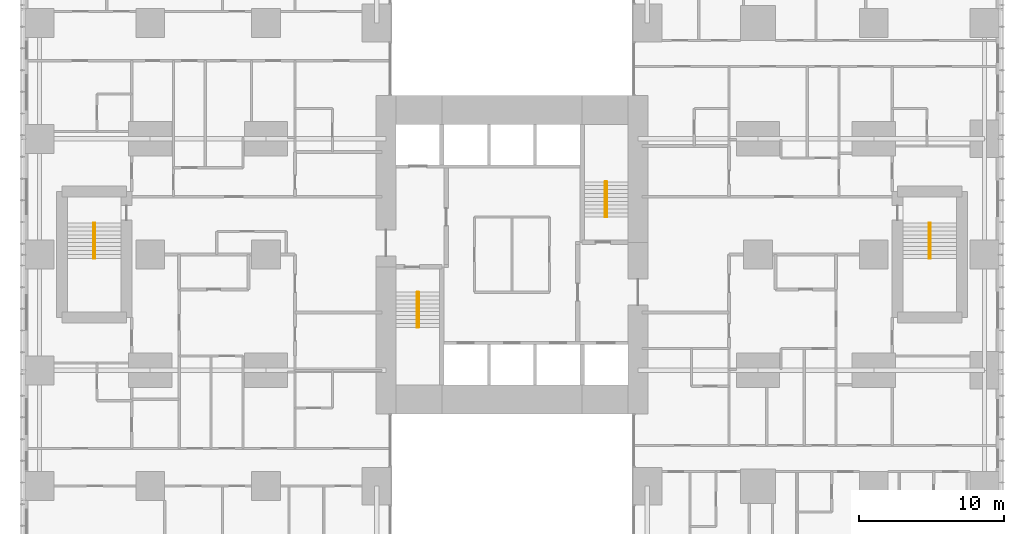
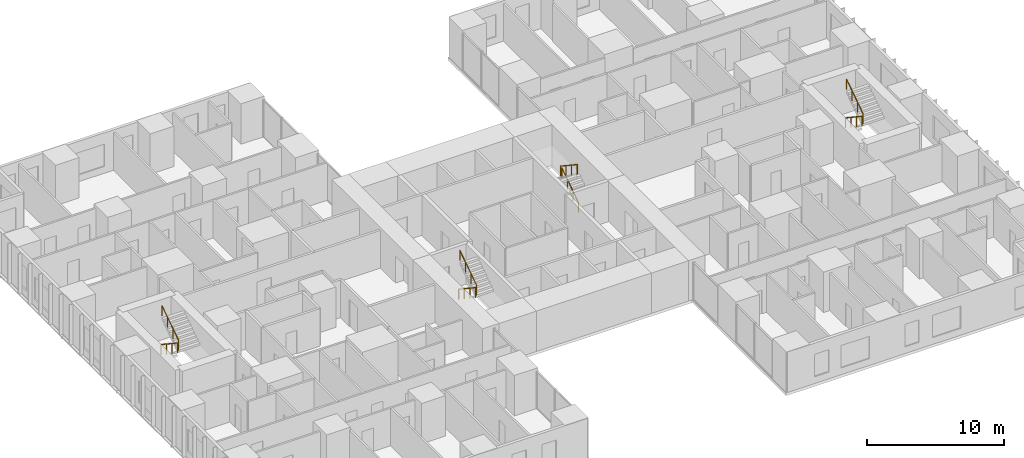
# One storey, part 20 of 20: 8 railings.
"""IFC4 building model written with IfcOpenShell, lengths in metres."""

from ifc_helpers import new_model, si_unit, direction, frame, origin, origin_2d, place, context, subcontext, project, spatial, circle, extrude, material, type_object, element, save


model = new_model("IFC4")

# Units and contexts
model_context = context("Model", 3, precision=1e-05, world=origin(), true_north=direction((0.0, 1.0)))
body_context = subcontext(model_context, "Body", "Model", "MODEL_VIEW")
ifc_project = project(units=[si_unit("LENGTHUNIT", "METRE"), si_unit("AREAUNIT", "SQUARE_METRE"), si_unit("VOLUMEUNIT", "CUBIC_METRE"), si_unit("PLANEANGLEUNIT", "RADIAN"), si_unit("MASSUNIT", "GRAM", prefix="KILO")], contexts=[model_context])

# Site, building, storey
site_placement = place(None, origin())
site = spatial("IfcSite", under=ifc_project, at=site_placement, CompositionType="ELEMENT")
building_placement = place(site_placement, origin())
building = spatial("IfcBuilding", under=site, at=building_placement, Name="Cleftline Residences", CompositionType="ELEMENT")
storey_placement = place(building_placement, frame((0.0, 0.0, 54.800048828125)))
storey = spatial("IfcBuildingStorey", under=building, at=storey_placement, Name="L13", CompositionType="ELEMENT", Elevation=54.800048828125)

# Railings
ifc_material = material(Name="Stainless steel", Category="steel")
railing_type = type_object("IfcRailingType", Name="HANDRAIL 900", PredefinedType="HANDRAIL", material=ifc_material)
railing_1_placement = place(storey_placement, frame((26.449951171875, 21.39990234375, 0.179931640625)))
element("IfcRailing", 1, at=railing_1_placement, inside=storey, type_object=railing_type, Name="Stair handrail", PredefinedType="HANDRAIL", context=body_context, shape_type="SweptSolid", body=[
    extrude(circle(Radius=0.02392578125, at=origin_2d()), frame((0.0, 0.0, 0.8759765625), z_axis=(0.0, -0.832024571796, 0.554738778101), x_axis=(1.0, 0.0, 0.0)), (0.0, 0.0, 1.0), 2.92041015625),
    extrude(circle(Radius=0.02099609375, at=origin_2d()), origin(), (0.0, 0.0, 1.0), 0.851806640625),
    extrude(circle(Radius=0.02099609375, at=origin_2d()), frame((0.0, -0.81005859375, 0.5400390625)), (0.0, 0.0, 1.0), 0.851806640625),
    extrude(circle(Radius=0.02099609375, at=origin_2d()), frame((0.0, -1.619873046875, 1.080078125)), (0.0, 0.0, 1.0), 0.851806640625),
    extrude(circle(Radius=0.02099609375, at=origin_2d()), frame((0.0, -2.429931640625, 1.6201171875)), (0.0, 0.0, 1.0), 0.851806640625),
])
railing_2_placement = place(storey_placement, frame((26.550048828125, 18.969970703125, 1.97998046875)))
element("IfcRailing", 2, at=railing_2_placement, inside=storey, type_object=railing_type, Name="Stair handrail", PredefinedType="HANDRAIL", context=body_context, shape_type="SweptSolid", body=[
    extrude(circle(Radius=0.02392578125, at=origin_2d()), frame((0.0, 0.0, 0.8759765625), z_axis=(0.0, 0.832063155534, 0.554680903946), x_axis=(-1.0, 0.0, 0.0)), (0.0, 0.0, 1.0), 2.92041015625),
    extrude(circle(Radius=0.02099609375, at=origin_2d()), origin(), (0.0, 0.0, 1.0), 0.851806640625),
    extrude(circle(Radius=0.02099609375, at=origin_2d()), frame((0.0, 0.81005859375, 0.5400390625)), (0.0, 0.0, 1.0), 0.851806640625),
    extrude(circle(Radius=0.02099609375, at=origin_2d()), frame((0.0, 1.619873046875, 1.079833984375)), (0.0, 0.0, 1.0), 0.851806640625),
    extrude(circle(Radius=0.02099609375, at=origin_2d()), frame((0.0, 2.429931640625, 1.619873046875)), (0.0, 0.0, 1.0), 0.851806640625),
])
railing_3_placement = place(storey_placement, frame((39.550048828125, 26.60009765625, 0.179931640625)))
element("IfcRailing", 3, at=railing_3_placement, inside=storey, type_object=railing_type, Name="Stair handrail", PredefinedType="HANDRAIL", context=body_context, shape_type="SweptSolid", body=[
    extrude(circle(Radius=0.02392578125, at=origin_2d()), frame((0.0, 0.0, 0.8759765625), z_axis=(0.0, 0.832024571796, 0.554738778101), x_axis=(-1.0, 0.0, 0.0)), (0.0, 0.0, 1.0), 2.92041015625),
    extrude(circle(Radius=0.02099609375, at=origin_2d()), origin(), (0.0, 0.0, 1.0), 0.851806640625),
    extrude(circle(Radius=0.02099609375, at=origin_2d()), frame((0.0, 0.81005859375, 0.5400390625)), (0.0, 0.0, 1.0), 0.851806640625),
    extrude(circle(Radius=0.02099609375, at=origin_2d()), frame((0.0, 1.619873046875, 1.080078125)), (0.0, 0.0, 1.0), 0.851806640625),
    extrude(circle(Radius=0.02099609375, at=origin_2d()), frame((0.0, 2.429931640625, 1.6201171875)), (0.0, 0.0, 1.0), 0.851806640625),
])
railing_4_placement = place(storey_placement, frame((39.449951171875, 29.030029296875, 1.97998046875)))
element("IfcRailing", 4, at=railing_4_placement, inside=storey, type_object=railing_type, Name="Stair handrail", PredefinedType="HANDRAIL", context=body_context, shape_type="SweptSolid", body=[
    extrude(circle(Radius=0.02392578125, at=origin_2d()), frame((0.0, 0.0, 0.8759765625), z_axis=(0.0, -0.832063155534, 0.554680903946), x_axis=(1.0, 0.0, 0.0)), (0.0, 0.0, 1.0), 2.92041015625),
    extrude(circle(Radius=0.02099609375, at=origin_2d()), origin(), (0.0, 0.0, 1.0), 0.851806640625),
    extrude(circle(Radius=0.02099609375, at=origin_2d()), frame((0.0, -0.81005859375, 0.5400390625)), (0.0, 0.0, 1.0), 0.851806640625),
    extrude(circle(Radius=0.02099609375, at=origin_2d()), frame((0.0, -1.619873046875, 1.079833984375)), (0.0, 0.0, 1.0), 0.851806640625),
    extrude(circle(Radius=0.02099609375, at=origin_2d()), frame((0.0, -2.429931640625, 1.619873046875)), (0.0, 0.0, 1.0), 0.851806640625),
])
railing_5_placement = place(storey_placement, frame((61.824951171875, 26.175048828125, 0.179931640625)))
element("IfcRailing", 5, at=railing_5_placement, inside=storey, type_object=railing_type, Name="Stair handrail", PredefinedType="HANDRAIL", context=body_context, shape_type="SweptSolid", body=[
    extrude(circle(Radius=0.02392578125, at=origin_2d()), frame((0.0, 0.0, 0.8759765625), z_axis=(0.0, -0.832024571796, 0.554738778101), x_axis=(1.0, 0.0, 0.0)), (0.0, 0.0, 1.0), 2.92041015625),
    extrude(circle(Radius=0.02099609375, at=origin_2d()), origin(), (0.0, 0.0, 1.0), 0.851806640625),
    extrude(circle(Radius=0.02099609375, at=origin_2d()), frame((0.0, -0.81005859375, 0.5400390625)), (0.0, 0.0, 1.0), 0.851806640625),
    extrude(circle(Radius=0.02099609375, at=origin_2d()), frame((0.0, -1.619873046875, 1.080078125)), (0.0, 0.0, 1.0), 0.851806640625),
    extrude(circle(Radius=0.02099609375, at=origin_2d()), frame((0.0, -2.429931640625, 1.6201171875)), (0.0, 0.0, 1.0), 0.851806640625),
])
railing_6_placement = place(storey_placement, frame((61.925048828125, 23.7451171875, 1.97998046875)))
element("IfcRailing", 6, at=railing_6_placement, inside=storey, type_object=railing_type, Name="Stair handrail", PredefinedType="HANDRAIL", context=body_context, shape_type="SweptSolid", body=[
    extrude(circle(Radius=0.02392578125, at=origin_2d()), frame((0.0, 0.0, 0.8759765625), z_axis=(0.0, 0.832063155534, 0.554680903946), x_axis=(-1.0, 0.0, 0.0)), (0.0, 0.0, 1.0), 2.92041015625),
    extrude(circle(Radius=0.02099609375, at=origin_2d()), origin(), (0.0, 0.0, 1.0), 0.851806640625),
    extrude(circle(Radius=0.02099609375, at=origin_2d()), frame((0.0, 0.81005859375, 0.5400390625)), (0.0, 0.0, 1.0), 0.851806640625),
    extrude(circle(Radius=0.02099609375, at=origin_2d()), frame((0.0, 1.619873046875, 1.079833984375)), (0.0, 0.0, 1.0), 0.851806640625),
    extrude(circle(Radius=0.02099609375, at=origin_2d()), frame((0.0, 2.429931640625, 1.619873046875)), (0.0, 0.0, 1.0), 0.851806640625),
])
railing_7_placement = place(storey_placement, frame((4.074951171875, 26.175048828125, 0.179931640625)))
element("IfcRailing", 7, at=railing_7_placement, inside=storey, type_object=railing_type, Name="Stair handrail", PredefinedType="HANDRAIL", context=body_context, shape_type="SweptSolid", body=[
    extrude(circle(Radius=0.02392578125, at=origin_2d()), frame((0.0, 0.0, 0.8759765625), z_axis=(0.0, -0.832024571796, 0.554738778101), x_axis=(1.0, 0.0, 0.0)), (0.0, 0.0, 1.0), 2.92041015625),
    extrude(circle(Radius=0.02099609375, at=origin_2d()), origin(), (0.0, 0.0, 1.0), 0.851806640625),
    extrude(circle(Radius=0.02099609375, at=origin_2d()), frame((0.0, -0.81005859375, 0.5400390625)), (0.0, 0.0, 1.0), 0.851806640625),
    extrude(circle(Radius=0.02099609375, at=origin_2d()), frame((0.0, -1.619873046875, 1.080078125)), (0.0, 0.0, 1.0), 0.851806640625),
    extrude(circle(Radius=0.02099609375, at=origin_2d()), frame((0.0, -2.429931640625, 1.6201171875)), (0.0, 0.0, 1.0), 0.851806640625),
])
railing_8_placement = place(storey_placement, frame((4.175048828125, 23.7451171875, 1.97998046875)))
element("IfcRailing", 8, at=railing_8_placement, inside=storey, type_object=railing_type, Name="Stair handrail", PredefinedType="HANDRAIL", context=body_context, shape_type="SweptSolid", body=[
    extrude(circle(Radius=0.02392578125, at=origin_2d()), frame((0.0, 0.0, 0.8759765625), z_axis=(0.0, 0.832063155534, 0.554680903946), x_axis=(-1.0, 0.0, 0.0)), (0.0, 0.0, 1.0), 2.92041015625),
    extrude(circle(Radius=0.02099609375, at=origin_2d()), origin(), (0.0, 0.0, 1.0), 0.851806640625),
    extrude(circle(Radius=0.02099609375, at=origin_2d()), frame((0.0, 0.81005859375, 0.5400390625)), (0.0, 0.0, 1.0), 0.851806640625),
    extrude(circle(Radius=0.02099609375, at=origin_2d()), frame((0.0, 1.619873046875, 1.079833984375)), (0.0, 0.0, 1.0), 0.851806640625),
    extrude(circle(Radius=0.02099609375, at=origin_2d()), frame((0.0, 2.429931640625, 1.619873046875)), (0.0, 0.0, 1.0), 0.851806640625),
])

save(model, "model.ifc")
